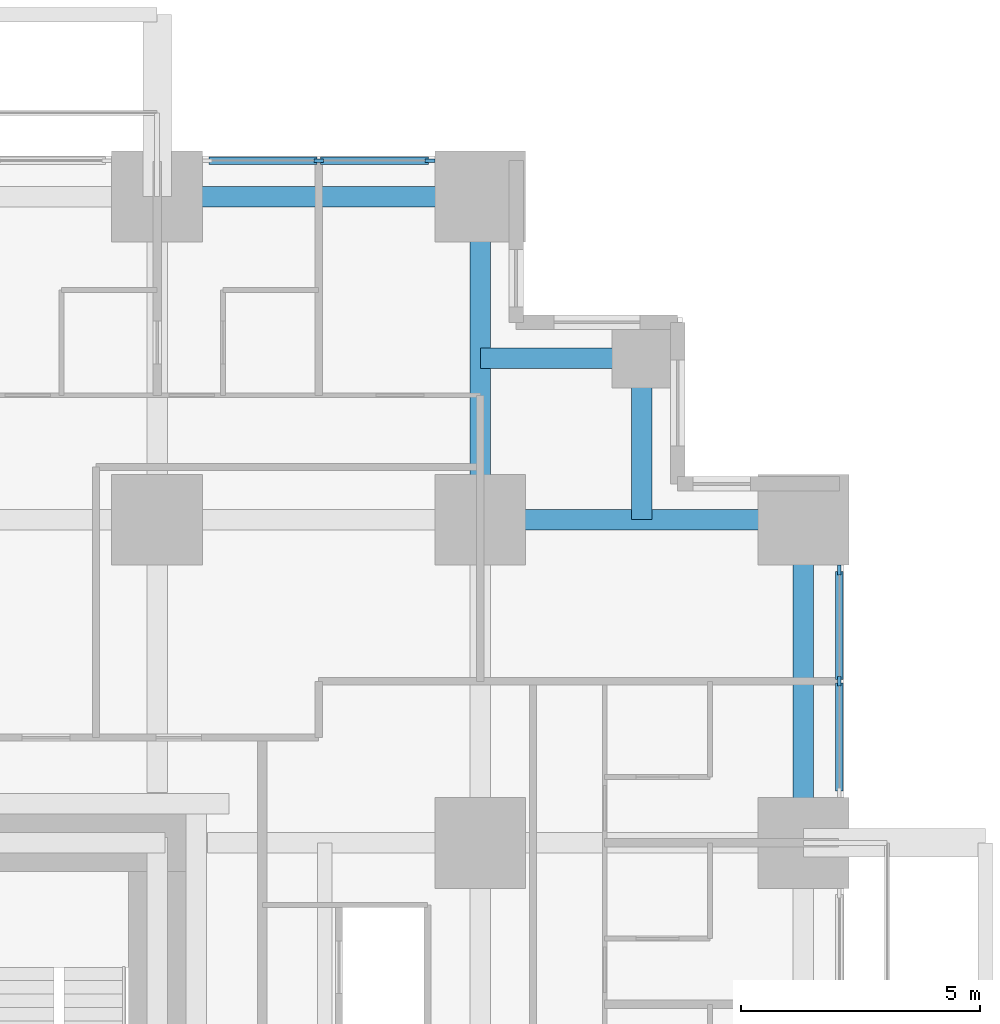
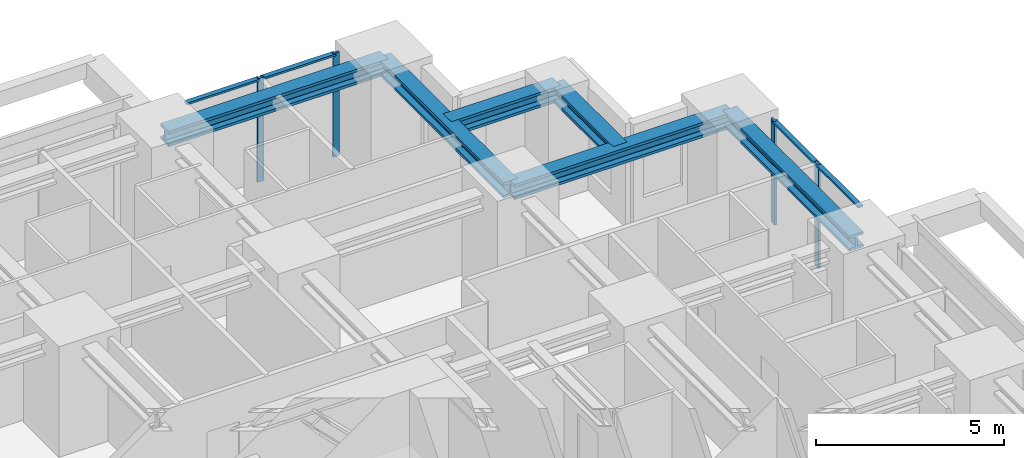
# One storey, part 6 of 15: 8 members, 6 beams, 2 elements without a shape of their own.
"""IFC4 building model written with IfcOpenShell, lengths in metres."""

from ifc_helpers import new_model, si_unit, direction, frame, origin, origin_2d, place, context, subcontext, project, spatial, rectangle, i_section, extrude, material, material_profile, profile_set, type_object, element, aggregate, save


model = new_model("IFC4")

# Units and contexts
model_context = context("Model", 3, precision=1e-05, world=origin(), true_north=direction((0.0, 1.0)))
body_context = subcontext(model_context, "Body", "Model", "MODEL_VIEW")
ifc_project = project(units=[si_unit("LENGTHUNIT", "METRE"), si_unit("AREAUNIT", "SQUARE_METRE"), si_unit("VOLUMEUNIT", "CUBIC_METRE"), si_unit("PLANEANGLEUNIT", "RADIAN"), si_unit("MASSUNIT", "GRAM", prefix="KILO")], contexts=[model_context])

# Site, building, storey
site_placement = place(None, origin())
site = spatial("IfcSite", under=ifc_project, at=site_placement, CompositionType="ELEMENT")
building_placement = place(site_placement, origin())
building = spatial("IfcBuilding", under=site, at=building_placement, Name="Nyansa Garden Tower", CompositionType="ELEMENT")
storey_placement = place(building_placement, frame((0.0, 0.0, 25.199951171875)))
storey = spatial("IfcBuildingStorey", under=building, at=storey_placement, Name="L06", CompositionType="ELEMENT", Elevation=25.199951171875)

# Curtain wall, members
ifc_material_1 = material(Name="Black anodised aluminium, dark tinted double glazing", Category="aluminium")
curtain_wall_type = type_object("IfcCurtainWallType", Name="Inner skin curtain wall ISW-A", PredefinedType="USERDEFINED", material=ifc_material_1)
curtain_wall_1_placement = place(storey_placement, origin())
curtain_wall_1 = element("IfcCurtainWall", 1, at=curtain_wall_1_placement, inside=storey, type_object=curtain_wall_type, Name="Inner skin curtain wall L06 E", ObjectType="UNITISED CURTAIN WALL", PredefinedType="USERDEFINED")
ifc_material_2 = material(Name="Black anodised aluminium", Category="aluminium")
ifc_material_profile_1 = material_profile(ifc_material_2, rectangle(XDim=0.06494140625, YDim=0.199951171875, at=origin_2d()), Name="Mullion 200x65")
ifc_profile_set_1 = profile_set([ifc_material_profile_1], Name="Black anodised aluminium")
member_type_1 = type_object("IfcMemberType", Name="Mullion ISW-A 200x65", PredefinedType="MULLION", material=ifc_profile_set_1)
member_1_placement = place(storey_placement, frame((41.25, 30.375, 0.0), z_axis=(0.0, 0.0, 1.0), x_axis=(-1.0, 0.0, 0.0)))
member_1 = element("IfcMember", 2, at=member_1_placement, type_object=member_type_1, Name="ISW-A mullion 2", PredefinedType="MULLION", context=body_context, shape_type="SweptSolid", body=[
    extrude(rectangle(XDim=0.06494140625, YDim=0.199951171875, at=origin_2d()), origin(), (0.0, 0.0, 1.0), 3.375),
])
member_2_placement = place(storey_placement, frame((41.25, 32.699951171875, 0.0), z_axis=(0.0, 0.0, 1.0), x_axis=(-1.0, 0.0, 0.0)))
member_2 = element("IfcMember", 3, at=member_2_placement, type_object=member_type_1, Name="ISW-A mullion 3", PredefinedType="MULLION", context=body_context, shape_type="SweptSolid", body=[
    extrude(rectangle(XDim=0.06494140625, YDim=0.199951171875, at=origin_2d()), origin(), (0.0, 0.0, 1.0), 3.375),
])

curtain_wall_2_placement = place(storey_placement, origin())
curtain_wall_2 = element("IfcCurtainWall", 4, at=curtain_wall_2_placement, inside=storey, type_object=curtain_wall_type, Name="Inner skin curtain wall L06 N", ObjectType="UNITISED CURTAIN WALL", PredefinedType="USERDEFINED")
member_3_placement = place(storey_placement, frame((32.699951171875, 41.25, 0.0), z_axis=(0.0, 0.0, 1.0), x_axis=(0.0, -1.0, 0.0)))
member_3 = element("IfcMember", 5, at=member_3_placement, type_object=member_type_1, Name="ISW-A mullion 1", PredefinedType="MULLION", context=body_context, shape_type="SweptSolid", body=[
    extrude(rectangle(XDim=0.06494140625, YDim=0.199951171875, at=origin_2d()), origin(), (0.0, 0.0, 1.0), 3.375),
])
member_4_placement = place(storey_placement, frame((30.375, 41.25, 0.0), z_axis=(0.0, 0.0, 1.0), x_axis=(0.0, -1.0, 0.0)))
member_4 = element("IfcMember", 6, at=member_4_placement, type_object=member_type_1, Name="ISW-A mullion 2", PredefinedType="MULLION", context=body_context, shape_type="SweptSolid", body=[
    extrude(rectangle(XDim=0.06494140625, YDim=0.199951171875, at=origin_2d()), origin(), (0.0, 0.0, 1.0), 3.375),
])

# Beams
ifc_material_3 = material(Name="Steel S355", Category="steel")
ifc_material_profile_2 = material_profile(ifc_material_3, i_section(OverallWidth=0.431884765625, OverallDepth=0.498046875, WebThickness=0.0556640625, FlangeThickness=0.0888671875, FilletRadius=0.014892578125, at=origin_2d()), Name="HD 400x744")
ifc_profile_set_2 = profile_set([ifc_material_profile_2], Name="Steel S355")
beam_type_1 = type_object("IfcBeamType", Name="Steel beam SBA1-744 HD 400x744", PredefinedType="BEAM", material=ifc_profile_set_2)
for number, where, z_axis, x_axis, name in (
    (7, (33.75, 33.75, 3.1259765625), (0.0, 1.0, 0.0), (-1.0, 0.0, 0.0), "Steel beam 7/J-7/K L07"),
    (8, (33.75, 33.75, 3.1259765625), (1.0, 0.0, 0.0), (0.0, 1.0, 0.0), "Steel beam 7/J-8/J L07"),
):
    element("IfcBeam", number, at=place(storey_placement, frame(where, z_axis=z_axis, x_axis=x_axis)), inside=storey, type_object=beam_type_1, Name=name, PredefinedType="BEAM", context=body_context, shape_type="SweptSolid", body=[
        extrude(i_section(OverallWidth=0.431884765625, OverallDepth=0.498046875, WebThickness=0.0556640625, FlangeThickness=0.0888671875, FilletRadius=0.014892578125, at=origin_2d()), origin(), (0.0, 0.0, 1.0), 6.75),
    ])
ifc_material_4 = material(Name="Steel S355", Category="steel")
ifc_material_profile_3 = material_profile(ifc_material_4, i_section(OverallWidth=0.431884765625, OverallDepth=0.498046875, WebThickness=0.0556640625, FlangeThickness=0.0888671875, FilletRadius=0.014892578125, at=origin_2d()), Name="HD 400x744")
ifc_profile_set_3 = profile_set([ifc_material_profile_3], Name="Steel S355")
beam_type_2 = type_object("IfcBeamType", Name="Steel beam SEBA-744 HD 400x744", PredefinedType="BEAM", material=ifc_profile_set_3)
for number, where, z_axis, x_axis, name in (
    (9, (27.0, 40.5, 3.1259765625), (1.0, 0.0, 0.0), (0.0, 1.0, 0.0), "Steel edge beam 6/K-7/K L07"),
    (10, (40.5, 27.0, 3.1259765625), (0.0, 1.0, 0.0), (-1.0, 0.0, 0.0), "Steel edge beam 8/H-8/J L07"),
):
    element("IfcBeam", number, at=place(storey_placement, frame(where, z_axis=z_axis, x_axis=x_axis)), inside=storey, type_object=beam_type_2, Name=name, PredefinedType="BEAM", context=body_context, shape_type="SweptSolid", body=[
        extrude(i_section(OverallWidth=0.431884765625, OverallDepth=0.498046875, WebThickness=0.0556640625, FlangeThickness=0.0888671875, FilletRadius=0.014892578125, at=origin_2d()), origin(), (0.0, 0.0, 1.0), 6.75),
    ])
ifc_material_5 = material(Name="Steel S355", Category="steel")
ifc_material_profile_4 = material_profile(ifc_material_5, i_section(OverallWidth=0.431884765625, OverallDepth=0.498046875, WebThickness=0.0556640625, FlangeThickness=0.0888671875, FilletRadius=0.014892578125, at=origin_2d()), Name="HD 400x744")
ifc_profile_set_4 = profile_set([ifc_material_profile_4], Name="Steel S355")
beam_type_3 = type_object("IfcBeamType", Name="Steel beam SSB1-744 HD 400x744", PredefinedType="BEAM", material=ifc_profile_set_4)
for number, where, z_axis, x_axis, name in (
    (11, (37.125, 37.125, 3.1259765625), (0.0, -1.0, 0.0), (1.0, 0.0, 0.0), "Steel step beam 37.125/37.125 L07"),
    (12, (37.125, 37.125, 3.1259765625), (-1.0, 0.0, 0.0), (0.0, -1.0, 0.0), "Steel step beam 37.125/37.125 L07"),
):
    element("IfcBeam", number, at=place(storey_placement, frame(where, z_axis=z_axis, x_axis=x_axis)), inside=storey, type_object=beam_type_3, Name=name, PredefinedType="BEAM", context=body_context, shape_type="SweptSolid", body=[
        extrude(i_section(OverallWidth=0.431884765625, OverallDepth=0.498046875, WebThickness=0.0556640625, FlangeThickness=0.0888671875, FilletRadius=0.014892578125, at=origin_2d()), origin(), (0.0, 0.0, 1.0), 3.375),
    ])

# Member
ifc_material_6 = material(Name="Black anodised aluminium", Category="aluminium")
ifc_material_profile_5 = material_profile(ifc_material_6, rectangle(XDim=0.14990234375, YDim=0.06494140625, at=origin_2d()), Name="Transom 150x65")
ifc_profile_set_5 = profile_set([ifc_material_profile_5], Name="Black anodised aluminium")
member_type_2 = type_object("IfcMemberType", Name="Transom ISW-A 150x65", PredefinedType="USERDEFINED", material=ifc_profile_set_5)
member_5_placement = place(storey_placement, frame((41.25, 28.08251953125, 3.342529296875), z_axis=(0.0, 1.0, 0.0), x_axis=(-1.0, 0.0, 0.0)))
member_5 = element("IfcMember", 13, at=member_5_placement, type_object=member_type_2, Name="ISW-A transom 1", ObjectType="TRANSOM", PredefinedType="USERDEFINED", context=body_context, shape_type="SweptSolid", body=[
    extrude(rectangle(XDim=0.14990234375, YDim=0.06494140625, at=origin_2d()), origin(), (0.0, 0.0, 1.0), 2.260009765625),
])

member_6_placement = place(storey_placement, frame((41.25, 30.407470703125, 3.342529296875), z_axis=(0.0, 1.0, 0.0), x_axis=(-1.0, 0.0, 0.0)))
member_6 = element("IfcMember", 14, at=member_6_placement, type_object=member_type_2, Name="ISW-A transom 2", ObjectType="TRANSOM", PredefinedType="USERDEFINED", context=body_context, shape_type="SweptSolid", body=[
    extrude(rectangle(XDim=0.14990234375, YDim=0.06494140625, at=origin_2d()), origin(), (0.0, 0.0, 1.0), 2.260009765625),
])

aggregate(curtain_wall_1, [member_1, member_2, member_5, member_6])

member_7_placement = place(storey_placement, frame((32.66748046875, 41.25, 3.342529296875), z_axis=(-1.0, 0.0, 0.0), x_axis=(0.0, -1.0, 0.0)))
member_7 = element("IfcMember", 15, at=member_7_placement, type_object=member_type_2, Name="ISW-A transom 1", ObjectType="TRANSOM", PredefinedType="USERDEFINED", context=body_context, shape_type="SweptSolid", body=[
    extrude(rectangle(XDim=0.14990234375, YDim=0.06494140625, at=origin_2d()), origin(), (0.0, 0.0, 1.0), 2.260009765625),
])

member_8_placement = place(storey_placement, frame((30.342529296875, 41.25, 3.342529296875), z_axis=(-1.0, 0.0, 0.0), x_axis=(0.0, -1.0, 0.0)))
member_8 = element("IfcMember", 16, at=member_8_placement, type_object=member_type_2, Name="ISW-A transom 2", ObjectType="TRANSOM", PredefinedType="USERDEFINED", context=body_context, shape_type="SweptSolid", body=[
    extrude(rectangle(XDim=0.14990234375, YDim=0.06494140625, at=origin_2d()), origin(), (0.0, 0.0, 1.0), 2.260009765625),
])

aggregate(curtain_wall_2, [member_3, member_4, member_7, member_8])

save(model, "model.ifc")
